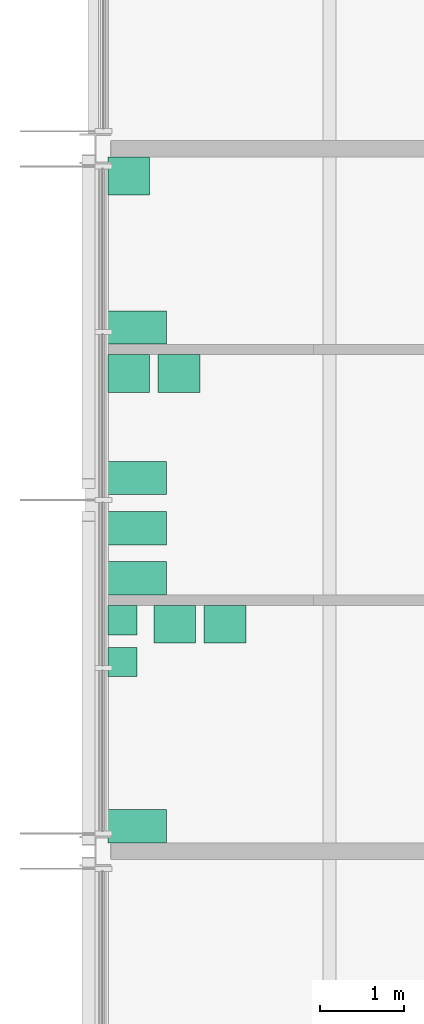
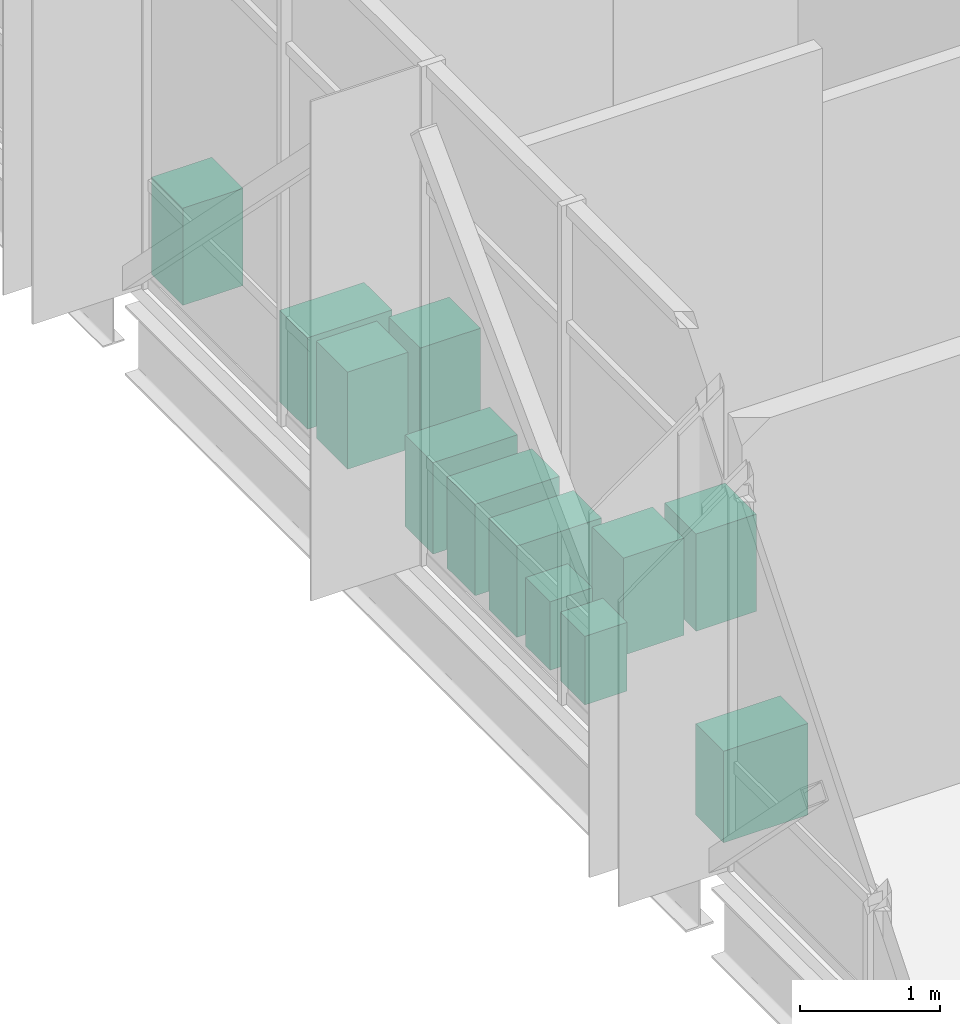
# One storey, part 15 of 15: 12 sanitary terminals.
"""IFC4 building model written with IfcOpenShell, lengths in metres."""

from ifc_helpers import new_model, si_unit, direction, frame, origin, origin_2d, place, context, subcontext, project, spatial, rectangle, extrude, element, save


model = new_model("IFC4")

# Units and contexts
model_context = context("Model", 3, precision=1e-05, world=origin(), true_north=direction((0.0, 1.0)))
body_context = subcontext(model_context, "Body", "Model", "MODEL_VIEW")
ifc_project = project(units=[si_unit("LENGTHUNIT", "METRE"), si_unit("AREAUNIT", "SQUARE_METRE"), si_unit("VOLUMEUNIT", "CUBIC_METRE"), si_unit("PLANEANGLEUNIT", "RADIAN"), si_unit("MASSUNIT", "GRAM", prefix="KILO")], contexts=[model_context])

# Site, building, storey
site_placement = place(None, origin())
site = spatial("IfcSite", under=ifc_project, at=site_placement, CompositionType="ELEMENT")
building_placement = place(site_placement, origin())
building = spatial("IfcBuilding", under=site, at=building_placement, Name="Hlaing Beacon Police Headquarters", CompositionType="ELEMENT")
storey_placement = place(building_placement, frame((0.0, 0.0, 32.39990234375)))
storey = spatial("IfcBuildingStorey", under=building, at=storey_placement, Name="L07", CompositionType="ELEMENT", Elevation=32.39990234375)

# Sanitary terminals
sanitary_terminal_1_placement = place(storey_placement, frame((101.300048828125, 56.6630859375, 0.0), z_axis=(0.0, 0.0, 1.0), x_axis=(1.0, 0.0, 0.0)))
element("IfcSanitaryTerminal", 1, at=sanitary_terminal_1_placement, inside=storey, Name="Water closet", PredefinedType="TOILETPAN", context=body_context, shape_type="SweptSolid", body=[
    extrude(rectangle(XDim=0.699951171875, YDim=0.39990234375, at=origin_2d()), origin(), (0.0, 0.0, 1.0), 0.800048828125),
])
sanitary_terminal_2_placement = place(storey_placement, frame((101.199951171875, 58.47509765625, 0.0), z_axis=(0.0, 0.0, 1.0), x_axis=(1.0, 0.0, 0.0)))
element("IfcSanitaryTerminal", 2, at=sanitary_terminal_2_placement, inside=storey, Name="Wash basin", PredefinedType="WASHHANDBASIN", context=body_context, shape_type="SweptSolid", body=[
    extrude(rectangle(XDim=0.5, YDim=0.449951171875, at=origin_2d()), origin(), (0.0, 0.0, 1.0), 0.85009765625),
])
for number, where, z_axis, x_axis, name in (
    (3, (101.300048828125, 53.662109375, 0.0), (0.0, 0.0, 1.0), (1.0, 0.0, 0.0), "Water closet"),
    (4, (101.300048828125, 54.262939453125, 0.0), (0.0, 0.0, 1.0), (1.0, 0.0, 0.0), "Water closet"),
    (5, (101.300048828125, 54.863037109375, 0.0), (0.0, 0.0, 1.0), (1.0, 0.0, 0.0), "Water closet"),
):
    element("IfcSanitaryTerminal", number, at=place(storey_placement, frame(where, z_axis=z_axis, x_axis=x_axis)), inside=storey, Name=name, PredefinedType="TOILETPAN", context=body_context, shape_type="SweptSolid", body=[
        extrude(rectangle(XDim=0.699951171875, YDim=0.39990234375, at=origin_2d()), origin(), (0.0, 0.0, 1.0), 0.800048828125),
    ])
for number, where, z_axis, x_axis, name in (
    (6, (101.199951171875, 56.112060546875, 0.0), (0.0, 0.0, 1.0), (1.0, 0.0, 0.0), "Wash basin"),
    (7, (101.800048828125, 56.112060546875, 0.0), (0.0, 0.0, 1.0), (1.0, 0.0, 0.0), "Wash basin"),
):
    element("IfcSanitaryTerminal", number, at=place(storey_placement, frame(where, z_axis=z_axis, x_axis=x_axis)), inside=storey, Name=name, PredefinedType="WASHHANDBASIN", context=body_context, shape_type="SweptSolid", body=[
        extrude(rectangle(XDim=0.5, YDim=0.449951171875, at=origin_2d()), origin(), (0.0, 0.0, 1.0), 0.85009765625),
    ])
sanitary_terminal_3_placement = place(storey_placement, frame((101.300048828125, 50.699951171875, 0.0), z_axis=(0.0, 0.0, 1.0), x_axis=(1.0, 0.0, 0.0)))
element("IfcSanitaryTerminal", 8, at=sanitary_terminal_3_placement, inside=storey, Name="Water closet", PredefinedType="TOILETPAN", context=body_context, shape_type="SweptSolid", body=[
    extrude(rectangle(XDim=0.699951171875, YDim=0.39990234375, at=origin_2d()), origin(), (0.0, 0.0, 1.0), 0.800048828125),
])
for number, where, z_axis, x_axis, name in (
    (9, (101.125, 53.162109375, 0.0), (0.0, 0.0, 1.0), (1.0, 0.0, 0.0), "Urinal"),
    (10, (101.125, 52.6630859375, 0.0), (0.0, 0.0, 1.0), (1.0, 0.0, 0.0), "Urinal"),
):
    element("IfcSanitaryTerminal", number, at=place(storey_placement, frame(where, z_axis=z_axis, x_axis=x_axis)), inside=storey, Name=name, PredefinedType="URINAL", context=body_context, shape_type="SweptSolid", body=[
        extrude(rectangle(XDim=0.35009765625, YDim=0.35009765625, at=origin_2d()), origin(), (0.0, 0.0, 1.0), 0.60009765625),
    ])
for number, where, z_axis, x_axis, name in (
    (11, (101.75, 53.112060546875, 0.0), (0.0, 0.0, 1.0), (1.0, 0.0, 0.0), "Wash basin"),
    (12, (102.35009765625, 53.112060546875, 0.0), (0.0, 0.0, 1.0), (1.0, 0.0, 0.0), "Wash basin"),
):
    element("IfcSanitaryTerminal", number, at=place(storey_placement, frame(where, z_axis=z_axis, x_axis=x_axis)), inside=storey, Name=name, PredefinedType="WASHHANDBASIN", context=body_context, shape_type="SweptSolid", body=[
        extrude(rectangle(XDim=0.5, YDim=0.449951171875, at=origin_2d()), origin(), (0.0, 0.0, 1.0), 0.85009765625),
    ])

save(model, "model.ifc")
